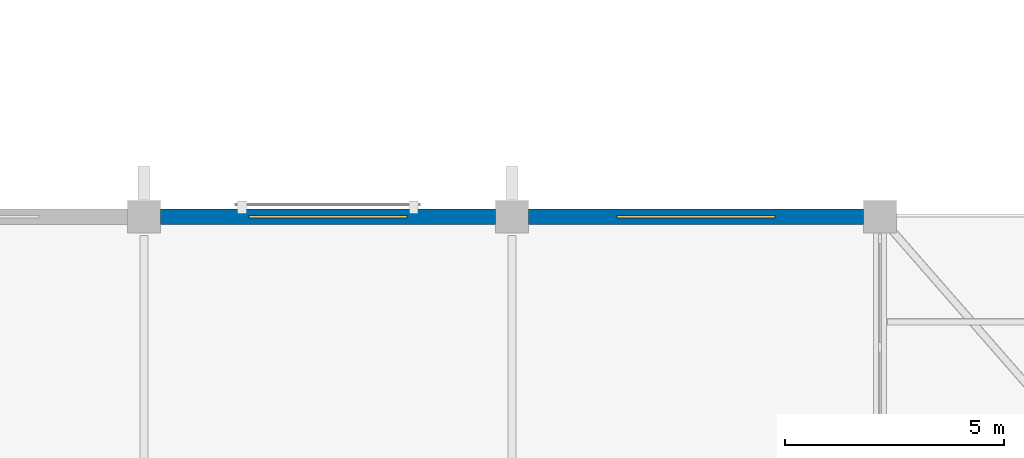
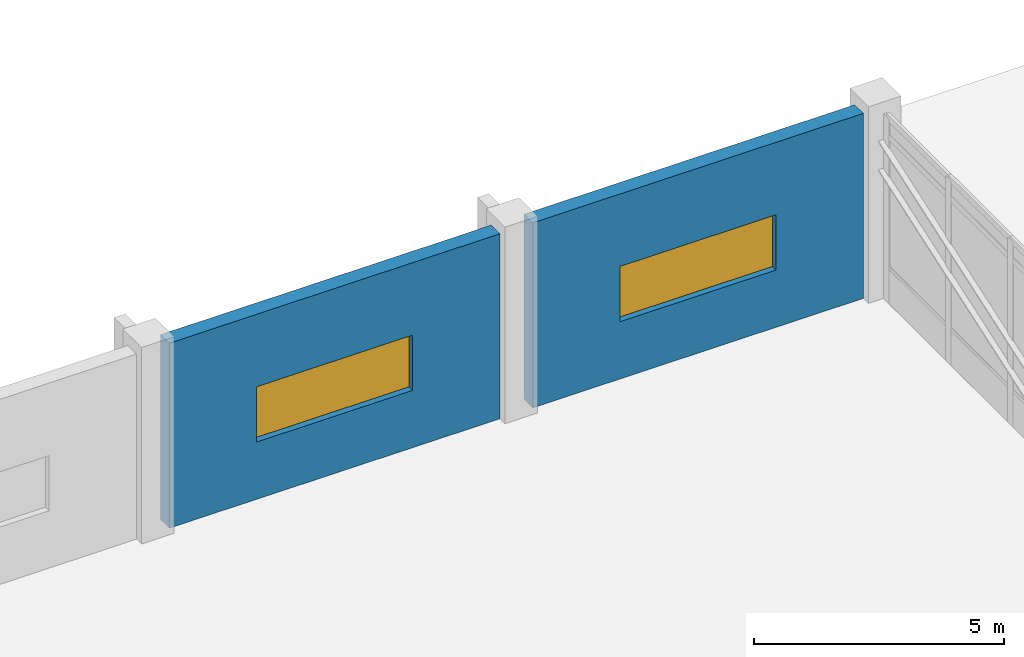
# One storey, part 89 of 110: 2 walls, 2 windows, 2 openings.
"""IFC4 building model written with IfcOpenShell, lengths in metres."""

from ifc_helpers import new_model, si_unit, direction, frame, frame_2d, origin, place, context, subcontext, project, spatial, rectangle, extrude, material, layer, layer_set, type_object, element, fill, save


model = new_model("IFC4")

# Units and contexts
model_context = context("Model", 3, precision=1e-05, world=origin(), true_north=direction((0.0, 1.0)))
body_context = subcontext(model_context, "Body", "Model", "MODEL_VIEW")
ifc_project = project(units=[si_unit("LENGTHUNIT", "METRE"), si_unit("AREAUNIT", "SQUARE_METRE"), si_unit("VOLUMEUNIT", "CUBIC_METRE"), si_unit("PLANEANGLEUNIT", "RADIAN"), si_unit("MASSUNIT", "GRAM", prefix="KILO")], contexts=[model_context])

# Site, building, storey
site_placement = place(None, origin())
site = spatial("IfcSite", under=ifc_project, at=site_placement, CompositionType="ELEMENT")
building_placement = place(site_placement, origin())
building = spatial("IfcBuilding", under=site, at=building_placement, Name="Qawsi Khor Wholesale Market", CompositionType="ELEMENT")
storey_placement = place(building_placement, frame((0.0, 0.0, 11.39990234375)))
storey = spatial("IfcBuildingStorey", under=building, at=storey_placement, Name="L02", CompositionType="ELEMENT", Elevation=11.39990234375)

# Wall, opening, window
ifc_material_1 = material(Name="Concrete C40/50", Category="concrete")
ifc_layer = layer(ifc_material_1, 0.35009765625, Name="Concrete C40/50")
ifc_layer_set = layer_set([ifc_layer], Name="Concrete C40/50")
wall_type = type_object("IfcWallType", Name="Trading Hall Precast Concrete Wall 350", PredefinedType="SOLIDWALL", material=ifc_layer_set)
wall_1_placement = place(storey_placement, frame((59.179931640625, 109.199951171875, 0.0), z_axis=(0.0, 0.0, 1.0), x_axis=(1.0, 0.0, 0.0)))
wall_1 = element("IfcWall", 1, at=wall_1_placement, inside=storey, type_object=wall_type, Name="EW-L02-WHN-07", PredefinedType="SOLIDWALL", context=body_context, shape_type="SweptSolid", body=[
    extrude(rectangle(XDim=7.64013671875, YDim=0.35009765625, at=frame_2d((3.820068359375, 0.0))), origin(), (0.0, 0.0, 1.0), 4.52001953125),
])
opening_1_placement = place(wall_1_placement, frame((2.02001953125, 0.0, 1.39990234375)))
opening_1 = element("IfcOpeningElement", 2, at=opening_1_placement, cuts=wall_1, Name="Opening W-12", PredefinedType="OPENING", context=body_context, shape_type="SweptSolid", body=[
    extrude(rectangle(XDim=3.60009765625, YDim=1.35009765625, at=frame_2d((1.800048828125, 0.675048828125))), frame((0.0, 0.18505859375, 0.0), z_axis=(0.0, -1.0, 0.0), x_axis=(1.0, 0.0, 0.0)), (0.0, 0.0, 1.0), 0.3701171875),
])
ifc_material_2 = material(Name="Thermally Broken Aluminium & Low-E Glass", Category="aluminium")
window_type = type_object("IfcWindowType", Name="Win W-12 Hall North Clerestory 3600x1350", PartitioningType="SINGLE_PANEL", PredefinedType="WINDOW", material=ifc_material_2)
window_1_placement = place(opening_1_placement, origin())
window_1 = element("IfcWindow", 3, at=window_1_placement, inside=storey, type_object=window_type, Name="Win W-12 Hall North Clerestory 3600x1350 177", OverallHeight=1.35009765625, OverallWidth=3.60009765625, PartitioningType="SINGLE_PANEL", PredefinedType="WINDOW", context=body_context, shape_type="SweptSolid", body=[
    extrude(rectangle(XDim=3.60009765625, YDim=1.35009765625, at=frame_2d((1.800048828125, 0.675048828125))), frame((0.0, 0.030029296875, 0.0), z_axis=(0.0, -1.0, 0.0), x_axis=(1.0, 0.0, 0.0)), (0.0, 0.0, 1.0), 0.06005859375),
])
fill(opening_1, window_1)

wall_2_placement = place(storey_placement, frame((67.580078125, 109.199951171875, 0.0), z_axis=(0.0, 0.0, 1.0), x_axis=(1.0, 0.0, 0.0)))
wall_2 = element("IfcWall", 4, at=wall_2_placement, inside=storey, type_object=wall_type, Name="EW-L02-WHN-08", PredefinedType="SOLIDWALL", context=body_context, shape_type="SweptSolid", body=[
    extrude(rectangle(XDim=7.639892578125, YDim=0.35009765625, at=frame_2d((3.81982421875, 0.0))), origin(), (0.0, 0.0, 1.0), 4.52001953125),
])
opening_2_placement = place(wall_2_placement, frame((2.02001953125, 0.0, 1.39990234375)))
opening_2 = element("IfcOpeningElement", 5, at=opening_2_placement, cuts=wall_2, Name="Opening W-12", PredefinedType="OPENING", context=body_context, shape_type="SweptSolid", body=[
    extrude(rectangle(XDim=3.60009765625, YDim=1.35009765625, at=frame_2d((1.800048828125, 0.675048828125))), frame((0.0, 0.18505859375, 0.0), z_axis=(0.0, -1.0, 0.0), x_axis=(1.0, 0.0, 0.0)), (0.0, 0.0, 1.0), 0.3701171875),
])
window_2_placement = place(opening_2_placement, origin())
window_2 = element("IfcWindow", 6, at=window_2_placement, inside=storey, type_object=window_type, Name="Win W-12 Hall North Clerestory 3600x1350 178", OverallHeight=1.35009765625, OverallWidth=3.60009765625, PartitioningType="SINGLE_PANEL", PredefinedType="WINDOW", context=body_context, shape_type="SweptSolid", body=[
    extrude(rectangle(XDim=3.60009765625, YDim=1.35009765625, at=frame_2d((1.800048828125, 0.675048828125))), frame((0.0, 0.030029296875, 0.0), z_axis=(0.0, -1.0, 0.0), x_axis=(1.0, 0.0, 0.0)), (0.0, 0.0, 1.0), 0.06005859375),
])
fill(opening_2, window_2)

save(model, "model.ifc")
